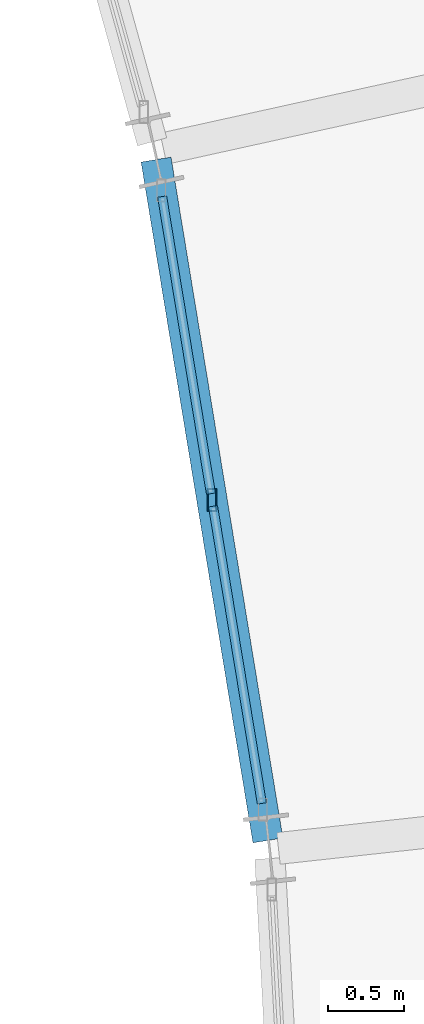
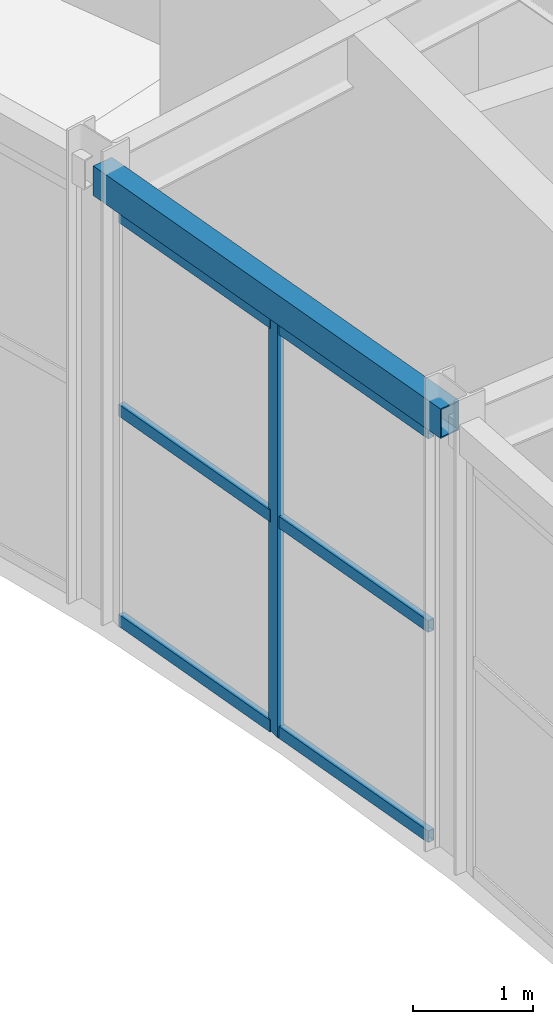
# One storey, part 68 of 108: 7 members, 1 beam, 1 element without a shape of its own.
"""IFC4 building model written with IfcOpenShell, lengths in metres."""

from ifc_helpers import new_model, si_unit, direction, frame, origin, origin_2d, place, context, subcontext, project, spatial, hollow_rectangle, extrude, material, material_profile, profile_set, type_object, element, aggregate, save


model = new_model("IFC4")

# Units and contexts
model_context = context("Model", 3, precision=1e-05, world=origin(), true_north=direction((0.0, 1.0)))
body_context = subcontext(model_context, "Body", "Model", "MODEL_VIEW")
ifc_project = project(units=[si_unit("LENGTHUNIT", "METRE"), si_unit("AREAUNIT", "SQUARE_METRE"), si_unit("VOLUMEUNIT", "CUBIC_METRE"), si_unit("PLANEANGLEUNIT", "RADIAN"), si_unit("MASSUNIT", "GRAM", prefix="KILO")], contexts=[model_context])

# Site, building, storey
site_placement = place(None, origin())
site = spatial("IfcSite", under=ifc_project, at=site_placement, CompositionType="ELEMENT")
building_placement = place(site_placement, origin())
building = spatial("IfcBuilding", under=site, at=building_placement, Name="Tarnveldt Headland Concert Hall", CompositionType="ELEMENT")
storey_placement = place(building_placement, frame((0.0, 0.0, 9.60009765625)))
storey = spatial("IfcBuildingStorey", under=building, at=storey_placement, Name="L02", CompositionType="ELEMENT", Elevation=9.60009765625)

# Curtain wall, member
ifc_material_1 = material(Name="Marine-anodised aluminium EN AW-6063-T6", Category="aluminium")
curtain_wall_type = type_object("IfcCurtainWallType", Name="CW-C3", PredefinedType="NOTDEFINED", material=ifc_material_1)
curtain_wall_placement = place(storey_placement, origin())
curtain_wall = element("IfcCurtainWall", 1, at=curtain_wall_placement, inside=storey, type_object=curtain_wall_type, Name="Curtain wall CW-L02-128", PredefinedType="NOTDEFINED")
ifc_material_profile_1 = material_profile(ifc_material_1, hollow_rectangle(XDim=0.06005859375, YDim=0.14990234375, WallThickness=0.00390625, at=origin_2d()), Name="ALU MULLION 60x150x4", Category="aluminium")
ifc_profile_set_1 = profile_set([ifc_material_profile_1], Name="Marine-anodised aluminium EN AW-6063-T6")
member_type_1 = type_object("IfcMemberType", Name="ML-150", PredefinedType="MULLION", material=ifc_profile_set_1)
member_1_placement = place(storey_placement, frame((159.8681640625, 66.96337890625, 0.0), z_axis=(0.0, 0.0, 1.0), x_axis=(1.0, 0.0, 0.0)))
member_1 = element("IfcMember", 2, at=member_1_placement, type_object=member_type_1, Name="Mullion CW-L02-128-2", PredefinedType="MULLION", context=body_context, shape_type="SweptSolid", body=[
    extrude(hollow_rectangle(XDim=0.06005859375, YDim=0.14990234375, WallThickness=0.00390625, at=origin_2d()), origin(), (0.0, 0.0, 1.0), 4.18994140625),
])

# Beam
ifc_material_2 = material(Name="Steel S355", Category="steel")
ifc_material_profile_2 = material_profile(ifc_material_2, hollow_rectangle(XDim=0.199951171875, YDim=0.300048828125, WallThickness=0.012451171875, at=origin_2d()), Name="RHS 300x200x12.5", Category="steel")
ifc_profile_set_2 = profile_set([ifc_material_profile_2], Name="Steel S355")
beam_type = type_object("IfcBeamType", Name="SB-RHS300", PredefinedType="SPANDREL", material=ifc_profile_set_2)
beam_placement = place(storey_placement, frame((160.237060546875, 64.7197265625, 4.39990234375), z_axis=(-0.162187266023, 0.986759996524, 0.0), x_axis=(-0.986759996524, -0.162187266023, 0.0)))
element("IfcBeam", 3, at=beam_placement, inside=storey, type_object=beam_type, Name="Framing beam L02-1110", PredefinedType="SPANDREL", context=body_context, shape_type="SweptSolid", body=[
    extrude(hollow_rectangle(XDim=0.199951171875, YDim=0.300048828125, WallThickness=0.012451171875, at=origin_2d()), origin(), (0.0, 0.0, 1.0), 4.547607421875),
])

# Member
ifc_material_profile_3 = material_profile(ifc_material_1, hollow_rectangle(XDim=0.06005859375, YDim=0.1201171875, WallThickness=0.00390625, at=origin_2d()), Name="ALU TRANSOM 60x120x4", Category="aluminium")
ifc_profile_set_3 = profile_set([ifc_material_profile_3], Name="Marine-anodised aluminium EN AW-6063-T6")
member_type_2 = type_object("IfcMemberType", Name="TR-110", PredefinedType="MEMBER", material=ifc_profile_set_3)
member_2_placement = place(storey_placement, frame((160.197021484375, 64.96337890625, 0.0498046875), z_axis=(-0.162224645489, 0.986753851979, 0.0), x_axis=(-0.986753851979, -0.162224645489, 0.0)))
member_2 = element("IfcMember", 4, at=member_2_placement, type_object=member_type_2, Name="Transom CW-L02-128-1-1", PredefinedType="MEMBER", context=body_context, shape_type="SweptSolid", body=[
    extrude(hollow_rectangle(XDim=0.06005859375, YDim=0.1201171875, WallThickness=0.00390625, at=origin_2d()), origin(), (0.0, 0.0, 1.0), 1.985107421875),
])

member_3_placement = place(storey_placement, frame((160.197021484375, 64.96337890625, 2.1787109375), z_axis=(-0.162224645489, 0.986753851979, 0.0), x_axis=(-0.986753851979, -0.162224645489, 0.0)))
member_3 = element("IfcMember", 5, at=member_3_placement, type_object=member_type_2, Name="Transom CW-L02-128-1-2", PredefinedType="MEMBER", context=body_context, shape_type="SweptSolid", body=[
    extrude(hollow_rectangle(XDim=0.06005859375, YDim=0.1201171875, WallThickness=0.00390625, at=origin_2d()), origin(), (0.0, 0.0, 1.0), 1.985107421875),
])

member_4_placement = place(storey_placement, frame((160.197021484375, 64.96337890625, 4.139892578125), z_axis=(-0.162224645489, 0.986753851979, 0.0), x_axis=(-0.986753851979, -0.162224645489, 0.0)))
member_4 = element("IfcMember", 6, at=member_4_placement, type_object=member_type_2, Name="Transom CW-L02-128-1-3", PredefinedType="MEMBER", context=body_context, shape_type="SweptSolid", body=[
    extrude(hollow_rectangle(XDim=0.06005859375, YDim=0.1201171875, WallThickness=0.00390625, at=origin_2d()), origin(), (0.0, 0.0, 1.0), 1.985107421875),
])

member_5_placement = place(storey_placement, frame((159.861328125, 67.0048828125, 0.0498046875), z_axis=(-0.162124564427, 0.986770300328, 0.0), x_axis=(-0.986770300328, -0.162124564427, 0.0)))
member_5 = element("IfcMember", 7, at=member_5_placement, type_object=member_type_2, Name="Transom CW-L02-128-2-1", PredefinedType="MEMBER", context=body_context, shape_type="SweptSolid", body=[
    extrude(hollow_rectangle(XDim=0.06005859375, YDim=0.1201171875, WallThickness=0.00390625, at=origin_2d()), origin(), (0.0, 0.0, 1.0), 1.98486328125),
])

member_6_placement = place(storey_placement, frame((159.861328125, 67.0048828125, 2.1787109375), z_axis=(-0.162124564427, 0.986770300328, 0.0), x_axis=(-0.986770300328, -0.162124564427, 0.0)))
member_6 = element("IfcMember", 8, at=member_6_placement, type_object=member_type_2, Name="Transom CW-L02-128-2-2", PredefinedType="MEMBER", context=body_context, shape_type="SweptSolid", body=[
    extrude(hollow_rectangle(XDim=0.06005859375, YDim=0.1201171875, WallThickness=0.00390625, at=origin_2d()), origin(), (0.0, 0.0, 1.0), 1.98486328125),
])

member_7_placement = place(storey_placement, frame((159.861328125, 67.0048828125, 4.139892578125), z_axis=(-0.162124564427, 0.986770300328, 0.0), x_axis=(-0.986770300328, -0.162124564427, 0.0)))
member_7 = element("IfcMember", 9, at=member_7_placement, type_object=member_type_2, Name="Transom CW-L02-128-2-3", PredefinedType="MEMBER", context=body_context, shape_type="SweptSolid", body=[
    extrude(hollow_rectangle(XDim=0.06005859375, YDim=0.1201171875, WallThickness=0.00390625, at=origin_2d()), origin(), (0.0, 0.0, 1.0), 1.98486328125),
])

aggregate(curtain_wall, [member_1, member_2, member_3, member_4, member_5, member_6, member_7])

save(model, "model.ifc")
